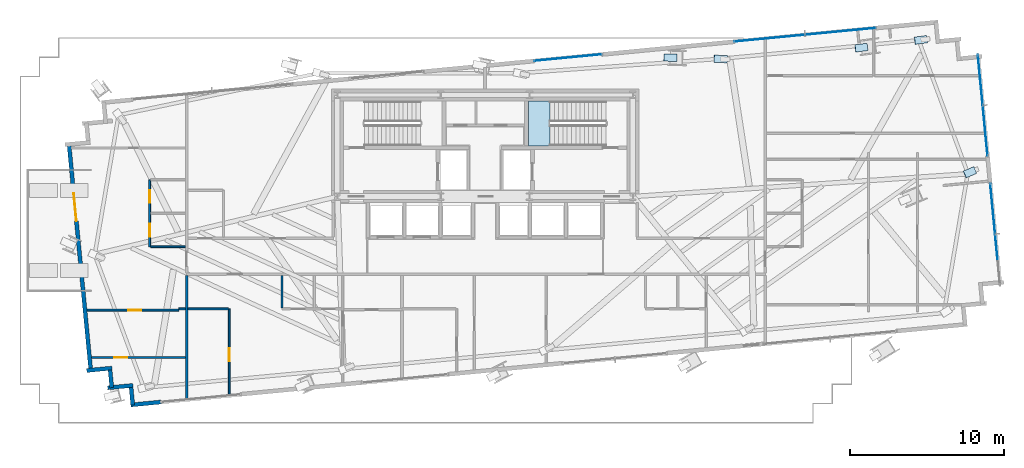
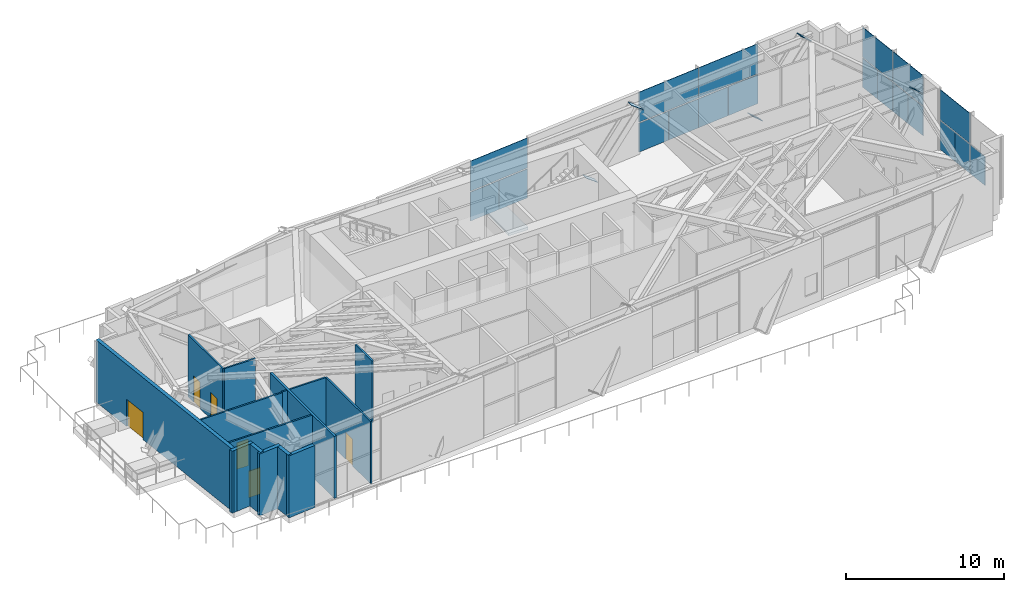
# One storey, part 20 of 28: 24 plates, 15 walls, 6 doors, 1 slab, 6 openings, 5 elements without a shape of their own.
"""IFC4 building model written with IfcOpenShell, lengths in metres."""

from ifc_helpers import new_model, si_unit, direction, frame, frame_2d, origin, origin_2d, place, context, subcontext, project, spatial, polyline, rectangle, outline, extrude, source, transform, mapped, material, layer, layer_set, type_object, type_shapes, element, fill, aggregate, save


model = new_model("IFC4")

# Units and contexts
model_context = context("Model", 3, precision=1e-05, world=origin(), true_north=direction((0.0, 1.0)))
body_context = subcontext(model_context, "Body", "Model", "MODEL_VIEW")
ifc_project = project(units=[si_unit("LENGTHUNIT", "METRE"), si_unit("AREAUNIT", "SQUARE_METRE"), si_unit("VOLUMEUNIT", "CUBIC_METRE"), si_unit("PLANEANGLEUNIT", "RADIAN"), si_unit("MASSUNIT", "GRAM", prefix="KILO")], contexts=[model_context])

# Site, building, storey
site_placement = place(None, origin())
site = spatial("IfcSite", under=ifc_project, at=site_placement, CompositionType="ELEMENT")
building_placement = place(site_placement, origin())
building = spatial("IfcBuilding", under=site, at=building_placement, Name="Astriad Promenade Condominiums", CompositionType="ELEMENT")
storey_placement = place(building_placement, frame((0.0, 0.0, 72.60009765625)))
storey = spatial("IfcBuildingStorey", under=building, at=storey_placement, Name="L20", CompositionType="ELEMENT", Elevation=72.60009765625)

# Stair, slab
ifc_material_1 = material(Name="Concrete C50/60", Category="concrete")
stair_type = type_object("IfcStairType", Name="STR-CORE-1350", PredefinedType="HALF_TURN_STAIR", material=ifc_material_1)
stair_placement = place(storey_placement, origin())
stair = element("IfcStair", 1, at=stair_placement, inside=storey, type_object=stair_type, Name="L20 Enclosed Core Exit Stair ST-2", PredefinedType="HALF_TURN_STAIR")
ifc_layer_1 = layer(ifc_material_1, 0.219970703125)
ifc_layer_set_1 = layer_set([ifc_layer_1], Name="Concrete C50/60")
slab_type = type_object("IfcSlabType", Name="SLB-LANDING-220", PredefinedType="LANDING", material=ifc_layer_set_1)
slab_placement = place(storey_placement, frame((0.0, 0.0, 2.39990234375)))
slab = element("IfcSlab", 2, at=slab_placement, type_object=slab_type, Name="ST-2 landing 1", PredefinedType="LANDING", context=body_context, shape_type="SweptSolid", body=[
    extrude(outline(polyline([(40.2099609375, 23.60009765625), (38.800048828125, 23.60009765625), (38.800048828125, 20.699951171875), (40.2099609375, 20.699951171875), (40.2099609375, 23.60009765625)])), origin(), (0.0, 0.0, 1.0), 0.199951171875),
])
aggregate(stair, [slab])

# Plates
ifc_material_2 = material(Name="Steel ASTM A572 Grade 50", Category="steel")
ifc_layer_2 = layer(ifc_material_2, 0.02490234375)
ifc_layer_set_2 = layer_set([ifc_layer_2], Name="Steel ASTM A572 Grade 50")
plate_type_1 = type_object("IfcPlateType", Name="STEEL HOLLOW SECTION END CAP PLATE 30", PredefinedType="USERDEFINED", material=ifc_layer_set_2)
shared_shape_1 = source(origin(), body_context, "Body", "SweptSolid", [
    extrude(rectangle(XDim=0.477294921875, YDim=1.05126953125, at=origin_2d()), origin(), (0.0, 0.0, 1.0), 0.02490234375),
])
type_shapes(plate_type_1, [shared_shape_1])
for number, where, z_axis, x_axis, name in (
    (3, (48.033447265625, 26.42529296875, 0.119873046875), (0.5848616151, -0.015696992003, 0.810981193139), (0.026829152754, 0.999640033493, 0.0), "Hollow Section End Cap Plate COL-PC09-L20-A"),
    (4, (51.29345703125, 26.337646484375, 4.639892578125), (0.5848616151, -0.015696992003, 0.810981193139), (0.026829152754, 0.999640033493, 0.0), "Hollow Section End Cap Plate COL-PC09-L20-B"),
    (5, (60.4345703125, 27.070556640625, 0.136474609375), (0.650276108786, 0.084549070972, 0.754978434752), (-0.12893499058, 0.991653048301, 0.0), "Hollow Section End Cap Plate COL-PC10-L20-A"),
    (6, (64.30029296875, 27.5732421875, 4.624267578125), (0.650276108786, 0.084549070972, 0.754978434752), (-0.12893499058, 0.991653048301, 0.0), "Hollow Section End Cap Plate COL-PC10-L20-B"),
    (7, (67.48828125, 18.9716796875, 4.61083984375), (0.660733991083, 0.279735498035, 0.696547661088), (-0.389869538704, 0.920870100932, 0.0), "Hollow Section End Cap Plate COL-PC12-L20-B"),
):
    element("IfcPlate", number, at=place(storey_placement, frame(where, z_axis=z_axis, x_axis=x_axis)), inside=storey, type_object=plate_type_1, Name=name, ObjectType="STIFFENER_PLATE", PredefinedType="USERDEFINED", context=body_context, shape_type="MappedRepresentation", body=[
        mapped(shared_shape_1, transform((0.0, 0.0, 0.0), scale=1.0)),
    ])

# Curtain wall, plates
ifc_material_3 = material(Name="Anodised aluminium Black Dark Glass Unitised", Category="aluminium")
curtain_wall_type = type_object("IfcCurtainWallType", Name="CW-B2-DARK", PredefinedType="USERDEFINED", material=ifc_material_3)
curtain_wall_1_placement = place(storey_placement, origin())
curtain_wall_1 = element("IfcCurtainWall", 8, at=curtain_wall_1_placement, inside=storey, type_object=curtain_wall_type, Name="CW-L20-N-3", ObjectType="UNITISED_CURTAIN_WALL", PredefinedType="USERDEFINED")
ifc_material_4 = material(Name="Dark Tinted Low-E Laminated Glass", Category="glass")
ifc_layer_3 = layer(ifc_material_4, 0.035888671875)
ifc_layer_set_3 = layer_set([ifc_layer_3], Name="Dark Tinted Low-E Laminated Glass")
plate_type_2 = type_object("IfcPlateType", Name="PNL-DARK-GLASS-36", PredefinedType="CURTAIN_PANEL", material=ifc_layer_set_3)
shared_shape_2 = source(origin(), body_context, "Body", "SweptSolid", [
    extrude(rectangle(XDim=2.202880859375, YDim=0.035888671875, at=origin_2d()), origin(), (0.0, 0.0, 1.0), 2.22998046875),
])
plate_1_placement = place(storey_placement, frame((40.281982421875, 26.31982421875, 0.079833984375), z_axis=(0.0, 0.0, 1.0), x_axis=(0.995396198367, 0.09584575252, 0.0)))
plate_1 = element("IfcPlate", 9, at=plate_1_placement, type_object=plate_type_2, Name="CW-L20-N-3-PNL-00-VL", PredefinedType="CURTAIN_PANEL", context=body_context, shape_type="MappedRepresentation", body=[
    mapped(shared_shape_2, transform((0.0, 0.0, 0.0), scale=1.0)),
])
plate_2_placement = place(storey_placement, frame((42.48681640625, 26.5322265625, 0.079833984375), z_axis=(0.0, 0.0, 1.0), x_axis=(0.995396198367, 0.09584575252, 0.0)))
plate_2 = element("IfcPlate", 10, at=plate_2_placement, type_object=plate_type_2, Name="CW-L20-N-3-PNL-00-VR", PredefinedType="CURTAIN_PANEL", context=body_context, shape_type="MappedRepresentation", body=[
    mapped(shared_shape_2, transform((0.0, 0.0, 0.0), scale=1.0)),
])
shared_shape_3 = source(origin(), body_context, "Body", "SweptSolid", [
    extrude(rectangle(XDim=4.41796875, YDim=0.035888671875, at=origin_2d()), origin(), (0.0, 0.0, 1.0), 2.31005859375),
])
plate_3_placement = place(storey_placement, frame((41.384521484375, 26.426025390625, 2.389892578125), z_axis=(0.0, 0.0, 1.0), x_axis=(0.995396198367, 0.09584575252, 0.0)))
plate_3 = element("IfcPlate", 11, at=plate_3_placement, type_object=plate_type_2, Name="CW-L20-N-3-PNL-00-S", PredefinedType="CURTAIN_PANEL", context=body_context, shape_type="MappedRepresentation", body=[
    mapped(shared_shape_3, transform((0.0, 0.0, 0.0), scale=1.0)),
])
aggregate(curtain_wall_1, [plate_1, plate_2, plate_3])

curtain_wall_2_placement = place(storey_placement, origin())
curtain_wall_2 = element("IfcCurtainWall", 12, at=curtain_wall_2_placement, inside=storey, type_object=curtain_wall_type, Name="CW-L20-N-4", ObjectType="UNITISED_CURTAIN_WALL", PredefinedType="USERDEFINED")
shared_shape_4 = source(origin(), body_context, "Body", "SweptSolid", [
    extrude(rectangle(XDim=2.29541015625, YDim=0.035888671875, at=origin_2d()), origin(), (0.0, 0.0, 1.0), 2.22998046875),
])
plate_4_placement = place(storey_placement, frame((53.337890625, 27.576904296875, 0.079833984375), z_axis=(0.0, 0.0, 1.0), x_axis=(0.995396198367, 0.09584575252, 0.0)))
plate_4 = element("IfcPlate", 13, at=plate_4_placement, type_object=plate_type_2, Name="CW-L20-N-4-PNL-00-VL", PredefinedType="CURTAIN_PANEL", context=body_context, shape_type="MappedRepresentation", body=[
    mapped(shared_shape_4, transform((0.0, 0.0, 0.0), scale=1.0)),
])
plate_5_placement = place(storey_placement, frame((55.635009765625, 27.798095703125, 0.079833984375), z_axis=(0.0, 0.0, 1.0), x_axis=(0.995396198367, 0.09584575252, 0.0)))
plate_5 = element("IfcPlate", 14, at=plate_5_placement, type_object=plate_type_2, Name="CW-L20-N-4-PNL-00-VR", PredefinedType="CURTAIN_PANEL", context=body_context, shape_type="MappedRepresentation", body=[
    mapped(shared_shape_4, transform((0.0, 0.0, 0.0), scale=1.0)),
])
plate_6_placement = place(storey_placement, frame((57.931640625, 28.019287109375, 0.079833984375), z_axis=(0.0, 0.0, 1.0), x_axis=(0.995396198367, 0.09584575252, 0.0)))
plate_6 = element("IfcPlate", 15, at=plate_6_placement, type_object=plate_type_2, Name="CW-L20-N-4-PNL-01-VL", PredefinedType="CURTAIN_PANEL", context=body_context, shape_type="MappedRepresentation", body=[
    mapped(shared_shape_4, transform((0.0, 0.0, 0.0), scale=1.0)),
])
plate_7_placement = place(storey_placement, frame((60.228759765625, 28.240478515625, 0.079833984375), z_axis=(0.0, 0.0, 1.0), x_axis=(0.995396198367, 0.09584575252, 0.0)))
plate_7 = element("IfcPlate", 16, at=plate_7_placement, type_object=plate_type_2, Name="CW-L20-N-4-PNL-01-VR", PredefinedType="CURTAIN_PANEL", context=body_context, shape_type="MappedRepresentation", body=[
    mapped(shared_shape_4, transform((0.0, 0.0, 0.0), scale=1.0)),
])
shared_shape_5 = source(origin(), body_context, "Body", "SweptSolid", [
    extrude(rectangle(XDim=4.60302734375, YDim=0.035888671875, at=origin_2d()), origin(), (0.0, 0.0, 1.0), 2.31005859375),
])
plate_8_placement = place(storey_placement, frame((54.486328125, 27.6875, 2.389892578125), z_axis=(0.0, 0.0, 1.0), x_axis=(0.995396198367, 0.09584575252, 0.0)))
plate_8 = element("IfcPlate", 17, at=plate_8_placement, type_object=plate_type_2, Name="CW-L20-N-4-PNL-00-S", PredefinedType="CURTAIN_PANEL", context=body_context, shape_type="MappedRepresentation", body=[
    mapped(shared_shape_5, transform((0.0, 0.0, 0.0), scale=1.0)),
])
plate_9_placement = place(storey_placement, frame((59.080078125, 28.1298828125, 2.389892578125), z_axis=(0.0, 0.0, 1.0), x_axis=(0.995396198367, 0.09584575252, 0.0)))
plate_9 = element("IfcPlate", 18, at=plate_9_placement, type_object=plate_type_2, Name="CW-L20-N-4-PNL-01-S", PredefinedType="CURTAIN_PANEL", context=body_context, shape_type="MappedRepresentation", body=[
    mapped(shared_shape_5, transform((0.0, 0.0, 0.0), scale=1.0)),
])
aggregate(curtain_wall_2, [plate_4, plate_5, plate_8, plate_6, plate_7, plate_9])

curtain_wall_3_placement = place(storey_placement, origin())
curtain_wall_3 = element("IfcCurtainWall", 19, at=curtain_wall_3_placement, inside=storey, type_object=curtain_wall_type, Name="CW-L20-E-1", ObjectType="UNITISED_CURTAIN_WALL", PredefinedType="USERDEFINED")
shared_shape_6 = source(origin(), body_context, "Body", "SweptSolid", [
    extrude(rectangle(XDim=1.637939453125, YDim=0.035888671875, at=origin_2d()), origin(), (0.0, 0.0, 1.0), 2.22998046875),
])
plate_10_placement = place(storey_placement, frame((68.093505859375, 25.7880859375, 0.079833984375), z_axis=(0.0, 0.0, 1.0), x_axis=(0.095828379565, -0.99539787104, 0.0)))
plate_10 = element("IfcPlate", 20, at=plate_10_placement, type_object=plate_type_2, Name="CW-L20-E-1-PNL-00-VL", PredefinedType="CURTAIN_PANEL", context=body_context, shape_type="MappedRepresentation", body=[
    mapped(shared_shape_6, transform((0.0, 0.0, 0.0), scale=1.0)),
])
plate_11_placement = place(storey_placement, frame((68.251708984375, 24.1455078125, 0.079833984375), z_axis=(0.0, 0.0, 1.0), x_axis=(0.095828379565, -0.99539787104, 0.0)))
plate_11 = element("IfcPlate", 21, at=plate_11_placement, type_object=plate_type_2, Name="CW-L20-E-1-PNL-00-VR", PredefinedType="CURTAIN_PANEL", context=body_context, shape_type="MappedRepresentation", body=[
    mapped(shared_shape_6, transform((0.0, 0.0, 0.0), scale=1.0)),
])
plate_12_placement = place(storey_placement, frame((68.409912109375, 22.503173828125, 0.079833984375), z_axis=(0.0, 0.0, 1.0), x_axis=(0.095828379565, -0.99539787104, 0.0)))
plate_12 = element("IfcPlate", 22, at=plate_12_placement, type_object=plate_type_2, Name="CW-L20-E-1-PNL-01-VL", PredefinedType="CURTAIN_PANEL", context=body_context, shape_type="MappedRepresentation", body=[
    mapped(shared_shape_6, transform((0.0, 0.0, 0.0), scale=1.0)),
])
plate_13_placement = place(storey_placement, frame((68.568115234375, 20.86083984375, 0.079833984375), z_axis=(0.0, 0.0, 1.0), x_axis=(0.095828379565, -0.99539787104, 0.0)))
plate_13 = element("IfcPlate", 23, at=plate_13_placement, type_object=plate_type_2, Name="CW-L20-E-1-PNL-01-VR", PredefinedType="CURTAIN_PANEL", context=body_context, shape_type="MappedRepresentation", body=[
    mapped(shared_shape_6, transform((0.0, 0.0, 0.0), scale=1.0)),
])

curtain_wall_4_placement = place(storey_placement, origin())
curtain_wall_4 = element("IfcCurtainWall", 24, at=curtain_wall_4_placement, inside=storey, type_object=curtain_wall_type, Name="CW-L20-E-2", ObjectType="UNITISED_CURTAIN_WALL", PredefinedType="USERDEFINED")
plate_14_placement = place(storey_placement, frame((68.898681640625, 17.4267578125, 0.079833984375), z_axis=(0.0, 0.0, 1.0), x_axis=(0.095828379565, -0.99539787104, 0.0)))
plate_14 = element("IfcPlate", 25, at=plate_14_placement, type_object=plate_type_2, Name="CW-L20-E-2-PNL-00-VL", PredefinedType="CURTAIN_PANEL", context=body_context, shape_type="MappedRepresentation", body=[
    mapped(shared_shape_6, transform((0.0, 0.0, 0.0), scale=1.0)),
])
plate_15_placement = place(storey_placement, frame((69.056884765625, 15.7841796875, 0.079833984375), z_axis=(0.0, 0.0, 1.0), x_axis=(0.095828379565, -0.99539787104, 0.0)))
plate_15 = element("IfcPlate", 26, at=plate_15_placement, type_object=plate_type_2, Name="CW-L20-E-2-PNL-00-VR", PredefinedType="CURTAIN_PANEL", context=body_context, shape_type="MappedRepresentation", body=[
    mapped(shared_shape_6, transform((0.0, 0.0, 0.0), scale=1.0)),
])
plate_16_placement = place(storey_placement, frame((69.215087890625, 14.141845703125, 0.079833984375), z_axis=(0.0, 0.0, 1.0), x_axis=(0.095828379565, -0.99539787104, 0.0)))
plate_16 = element("IfcPlate", 27, at=plate_16_placement, type_object=plate_type_2, Name="CW-L20-E-2-PNL-01-VL", PredefinedType="CURTAIN_PANEL", context=body_context, shape_type="MappedRepresentation", body=[
    mapped(shared_shape_6, transform((0.0, 0.0, 0.0), scale=1.0)),
])

# Plate
shared_shape_7 = source(origin(), body_context, "Body", "SweptSolid", [
    extrude(rectangle(XDim=3.2880859375, YDim=0.035888671875, at=origin_2d()), origin(), (0.0, 0.0, 1.0), 2.31005859375),
])
type_shapes(plate_type_2, [shared_shape_2, shared_shape_3, shared_shape_4, shared_shape_5, shared_shape_6, shared_shape_7])
plate_17_placement = place(storey_placement, frame((68.172607421875, 24.966796875, 2.389892578125), z_axis=(0.0, 0.0, 1.0), x_axis=(0.095828379565, -0.99539787104, 0.0)))
plate_17 = element("IfcPlate", 28, at=plate_17_placement, type_object=plate_type_2, Name="CW-L20-E-1-PNL-00-S", PredefinedType="CURTAIN_PANEL", context=body_context, shape_type="MappedRepresentation", body=[
    mapped(shared_shape_7, transform((0.0, 0.0, 0.0), scale=1.0)),
])

plate_18_placement = place(storey_placement, frame((68.489013671875, 21.681884765625, 2.389892578125), z_axis=(0.0, 0.0, 1.0), x_axis=(0.095828379565, -0.99539787104, 0.0)))
plate_18 = element("IfcPlate", 29, at=plate_18_placement, type_object=plate_type_2, Name="CW-L20-E-1-PNL-01-S", PredefinedType="CURTAIN_PANEL", context=body_context, shape_type="MappedRepresentation", body=[
    mapped(shared_shape_7, transform((0.0, 0.0, 0.0), scale=1.0)),
])

aggregate(curtain_wall_3, [plate_10, plate_11, plate_17, plate_12, plate_13, plate_18])

plate_19_placement = place(storey_placement, frame((68.977783203125, 16.60546875, 2.389892578125), z_axis=(0.0, 0.0, 1.0), x_axis=(0.095828379565, -0.99539787104, 0.0)))
plate_19 = element("IfcPlate", 30, at=plate_19_placement, type_object=plate_type_2, Name="CW-L20-E-2-PNL-00-S", PredefinedType="CURTAIN_PANEL", context=body_context, shape_type="MappedRepresentation", body=[
    mapped(shared_shape_7, transform((0.0, 0.0, 0.0), scale=1.0)),
])

aggregate(curtain_wall_4, [plate_14, plate_15, plate_19, plate_16])

# Walls
ifc_material_5 = material(Name="Fire-Rated Gypsum Partition")
ifc_layer_4 = layer(ifc_material_5, 0.159912109375)
ifc_layer_set_4 = layer_set([ifc_layer_4], Name="Fire-Rated Gypsum Partition")
wall_type_1 = type_object("IfcWallType", Name="WALL-CORR-160", PredefinedType="PARTITIONING", material=ifc_layer_set_4)
wall_1_placement = place(storey_placement, frame((16.60009765625, 4.157958984375, 0.0), z_axis=(0.0, 0.0, 1.0), x_axis=(0.0, 1.0, 0.0)))
element("IfcWall", 31, at=wall_1_placement, inside=storey, type_object=wall_type_1, Name="PT-COR-W-L20", PredefinedType="PARTITIONING", context=body_context, shape_type="SweptSolid", body=[
    extrude(rectangle(XDim=8.110107421875, YDim=0.159912109375, at=frame_2d((4.05517578125, 0.0))), origin(), (0.0, 0.0, 1.0), 4.77978515625),
])
ifc_material_6 = material(Name="Precast concrete C50/60", Category="concrete")
ifc_layer_5 = layer(ifc_material_6, 0.260009765625)
ifc_layer_set_5 = layer_set([ifc_layer_5], Name="Precast concrete C50/60")
wall_type_2 = type_object("IfcWallType", Name="WALL-EXT-TWR-260", PredefinedType="STANDARD", material=ifc_layer_set_5)
wall_2_placement = place(storey_placement, frame((13.110595703125, 5.1279296875, 0.0), z_axis=(0.0, 0.0, 1.0), x_axis=(-0.995393194909, -0.095876939504, 0.0)))
element("IfcWall", 32, at=wall_2_placement, inside=storey, type_object=wall_type_2, Name="W-SER-L20-00", PredefinedType="STANDARD", context=body_context, shape_type="SweptSolid", body=[
    extrude(rectangle(XDim=1.639892578125, YDim=0.260009765625, at=frame_2d((0.81982421875, 0.0))), origin(), (0.0, 0.0, 1.0), 4.77978515625),
])
wall_3_placement = place(storey_placement, frame((11.738525390625, 4.98095703125, 0.0), z_axis=(0.0, 0.0, 1.0), x_axis=(-0.09576095695, 0.995404359607, 0.0)))
element("IfcWall", 33, at=wall_3_placement, inside=storey, type_object=wall_type_2, Name="W-SER-L20-01", PredefinedType="STANDARD", context=body_context, shape_type="SweptSolid", body=[
    extrude(rectangle(XDim=1.14990234375, YDim=0.260009765625, at=frame_2d((0.574951171875, 0.0))), origin(), (0.0, 0.0, 1.0), 4.77978515625),
])
wall_4_placement = place(storey_placement, frame((11.74658203125, 6.25244140625, 0.0), z_axis=(0.0, 0.0, 1.0), x_axis=(-0.995394563142, -0.095862733462, 0.0)))
element("IfcWall", 34, at=wall_4_placement, inside=storey, type_object=wall_type_2, Name="W-SER-L20-02", PredefinedType="STANDARD", context=body_context, shape_type="SweptSolid", body=[
    extrude(rectangle(XDim=1.64013671875, YDim=0.260009765625, at=frame_2d((0.820068359375, 0.0))), origin(), (0.0, 0.0, 1.0), 4.77978515625),
])

# Wall, opening, door
wall_5_placement = place(storey_placement, frame((10.385498046875, 5.99072265625, 0.0), z_axis=(0.0, 0.0, 1.0), x_axis=(-0.095848242264, 0.995395958629, 0.0)))
wall_5 = element("IfcWall", 35, at=wall_5_placement, inside=storey, type_object=wall_type_2, Name="W-SG-L20-W", PredefinedType="STANDARD", context=body_context, shape_type="SweptSolid", body=[
    extrude(rectangle(XDim=15.000244140625, YDim=0.260009765625, at=frame_2d((7.5, 0.0))), origin(), (0.0, 0.0, 1.0), 4.77978515625),
])
opening_1_placement = place(wall_5_placement, frame((9.866943359375, 0.0, 0.0)))
opening_1 = element("IfcOpeningElement", 36, at=opening_1_placement, cuts=wall_5, Name="Opening SGD-1823-SKY", PredefinedType="OPENING", context=body_context, shape_type="SweptSolid", body=[
    extrude(rectangle(XDim=1.800048828125, YDim=2.10009765625, at=frame_2d((0.89990234375, 1.050048828125))), frame((0.0, 0.139892578125, 0.0), z_axis=(0.0, -1.0, 0.0), x_axis=(1.0, 0.0, 0.0)), (0.0, 0.0, 1.0), 0.280029296875),
])
ifc_material_7 = material(Name="Thermally Broken Aluminium Sky-Garden Door", Category="aluminium")
door_type_1 = type_object("IfcDoorType", Name="SGD-1823-SKY", OperationType="NOTDEFINED", PredefinedType="DOOR", material=ifc_material_7)
shared_shape_8 = source(origin(), body_context, "Body", "SweptSolid", [
    extrude(rectangle(XDim=1.800048828125, YDim=2.10009765625, at=frame_2d((0.89990234375, 1.050048828125))), frame((0.0, 0.02490234375, 0.0), z_axis=(0.0, -1.0, 0.0), x_axis=(1.0, 0.0, 0.0)), (0.0, 0.0, 1.0), 0.050048828125),
])
type_shapes(door_type_1, [shared_shape_8])
door_1_placement = place(opening_1_placement, origin())
door_1 = element("IfcDoor", 37, at=door_1_placement, inside=storey, type_object=door_type_1, Name="SGD-L20", OperationType="DOUBLE_DOOR_SINGLE_SWING", OverallHeight=2.10009765625, OverallWidth=1.800048828125, PredefinedType="DOOR", context=body_context, shape_type="MappedRepresentation", body=[
    mapped(shared_shape_8, transform((0.0, 0.0, 0.0), scale=1.0)),
])
fill(opening_1, door_1)

# Walls
wall_6_placement = place(storey_placement, frame((14.96240234375, 4.050537109375, 0.0), z_axis=(0.0, 0.0, 1.0), x_axis=(-0.995397839199, -0.095828710298, 0.0)))
element("IfcWall", 38, at=wall_6_placement, inside=storey, type_object=wall_type_2, Name="W-SGCOL-L20-S-5", PredefinedType="STANDARD", context=body_context, shape_type="SweptSolid", body=[
    extrude(rectangle(XDim=2.0, YDim=0.260009765625, at=frame_2d((1.0, 0.0))), origin(), (0.0, 0.0, 1.0), 4.77978515625),
])
wall_7_placement = place(storey_placement, frame((13.1025390625, 3.8564453125, 0.0), z_axis=(0.0, 0.0, 1.0), x_axis=(-0.095951054827, 0.995386053287, 0.0)))
element("IfcWall", 39, at=wall_7_placement, inside=storey, type_object=wall_type_2, Name="W-SER-L20-19", PredefinedType="STANDARD", context=body_context, shape_type="SweptSolid", body=[
    extrude(rectangle(XDim=1.150146484375, YDim=0.260009765625, at=frame_2d((0.5751953125, 0.0))), origin(), (0.0, 0.0, 1.0), 4.77978515625),
])
ifc_material_8 = material(Name="Acoustic Metal-Stud Gypsum Partition")
ifc_layer_6 = layer(ifc_material_8, 0.1201171875)
ifc_layer_set_6 = layer_set([ifc_layer_6], Name="Acoustic Metal-Stud Gypsum Partition")
wall_type_3 = type_object("IfcWallType", Name="WALL-PART-120", PredefinedType="PARTITIONING", material=ifc_layer_set_6)
wall_8_placement = place(storey_placement, frame((22.801025390625, 10.162109375, 0.0), z_axis=(0.0, 0.0, 1.0), x_axis=(0.0, 1.0, 0.0)))
element("IfcWall", 40, at=wall_8_placement, inside=storey, type_object=wall_type_3, Name="PT-L20-S1-PKW", PredefinedType="PARTITIONING", context=body_context, shape_type="SweptSolid", body=[
    extrude(rectangle(XDim=2.10595703125, YDim=0.1201171875, at=frame_2d((1.052978515625, 0.0))), origin(), (0.0, 0.0, 1.0), 4.77978515625),
])

# Wall, opening, door
wall_9_placement = place(storey_placement, frame((19.373046875, 4.425048828125, 0.0), z_axis=(0.0, 0.0, 1.0), x_axis=(0.0, 1.0, 0.0)))
wall_9 = element("IfcWall", 41, at=wall_9_placement, inside=storey, type_object=wall_type_3, Name="PT-L20-S1-EXV", PredefinedType="PARTITIONING", context=body_context, shape_type="SweptSolid", body=[
    extrude(rectangle(XDim=5.675048828125, YDim=0.1201171875, at=frame_2d((2.83740234375, 0.0))), origin(), (0.0, 0.0, 1.0), 4.77978515625),
])
opening_2_placement = place(wall_9_placement, frame((2.27294921875, 0.0, 0.0)))
opening_2 = element("IfcOpeningElement", 42, at=opening_2_placement, cuts=wall_9, Name="Opening D-INT-085", PredefinedType="OPENING", context=body_context, shape_type="SweptSolid", body=[
    extrude(rectangle(XDim=0.85009765625, YDim=2.050048828125, at=frame_2d((0.425048828125, 1.02490234375))), frame((0.0, 0.070068359375, 0.0), z_axis=(0.0, -1.0, 0.0), x_axis=(1.0, 0.0, 0.0)), (0.0, 0.0, 1.0), 0.14013671875),
])
ifc_material_9 = material(Name="Painted Solid-Core Timber Room Door", Category="wood")
door_type_2 = type_object("IfcDoorType", Name="D-INT-085", OperationType="NOTDEFINED", PredefinedType="DOOR", material=ifc_material_9)
shared_shape_9 = source(origin(), body_context, "Body", "SweptSolid", [
    extrude(rectangle(XDim=0.85009765625, YDim=2.050048828125, at=frame_2d((0.425048828125, 1.02490234375))), frame((0.0, 0.02490234375, 0.0), z_axis=(0.0, -1.0, 0.0), x_axis=(1.0, 0.0, 0.0)), (0.0, 0.0, 1.0), 0.050048828125),
])
type_shapes(door_type_2, [shared_shape_9])
door_2_placement = place(opening_2_placement, origin())
door_2 = element("IfcDoor", 43, at=door_2_placement, inside=storey, type_object=door_type_2, Name="D-EX-L20-S1", OperationType="SINGLE_SWING_LEFT", OverallHeight=2.050048828125, OverallWidth=0.85009765625, PredefinedType="DOOR", context=body_context, shape_type="MappedRepresentation", body=[
    mapped(shared_shape_9, transform((0.0, 0.0, 0.0), scale=1.0)),
])
fill(opening_2, door_2)

# Walls
wall_10_placement = place(storey_placement, frame((16.10009765625, 10.10009765625, 0.0), z_axis=(0.0, 0.0, 1.0), x_axis=(1.0, 0.0, 0.0)))
element("IfcWall", 44, at=wall_10_placement, inside=storey, type_object=wall_type_3, Name="PT-L20-S1-EXH", PredefinedType="PARTITIONING", context=body_context, shape_type="SweptSolid", body=[
    extrude(rectangle(XDim=0.41796875, YDim=0.1201171875, at=frame_2d((0.208984375, 0.0))), origin(), (0.0, 0.0, 1.0), 4.77978515625),
])
wall_11_placement = place(storey_placement, frame((16.681884765625, 10.10009765625, 0.0), z_axis=(0.0, 0.0, 1.0), x_axis=(1.0, 0.0, 0.0)))
element("IfcWall", 45, at=wall_11_placement, inside=storey, type_object=wall_type_3, Name="PT-L20-S1-EXH-S2", PredefinedType="PARTITIONING", context=body_context, shape_type="SweptSolid", body=[
    extrude(rectangle(XDim=2.629150390625, YDim=0.1201171875, at=frame_2d((1.314453125, 0.0))), origin(), (0.0, 0.0, 1.0), 4.77978515625),
])

# Wall, openings, doors
wall_12_placement = place(storey_placement, frame((14.199951171875, 14.135986328125, 0.0), z_axis=(0.0, 0.0, 1.0), x_axis=(0.0, 1.0, 0.0)))
wall_12 = element("IfcWall", 46, at=wall_12_placement, inside=storey, type_object=wall_type_3, Name="PT-L20-W1-PV", PredefinedType="PARTITIONING", context=body_context, shape_type="SweptSolid", body=[
    extrude(rectangle(XDim=4.35009765625, YDim=0.1201171875, at=frame_2d((2.175048828125, 0.0))), origin(), (0.0, 0.0, 1.0), 4.77978515625),
])
opening_3_placement = place(wall_12_placement, frame((0.662109375, 0.0, 0.0)))
opening_3 = element("IfcOpeningElement", 47, at=opening_3_placement, cuts=wall_12, Name="Opening D-INT-085", PredefinedType="OPENING", context=body_context, shape_type="SweptSolid", body=[
    extrude(rectangle(XDim=0.85009765625, YDim=2.050048828125, at=frame_2d((0.425048828125, 1.02490234375))), frame((0.0, 0.070068359375, 0.0), z_axis=(0.0, -1.0, 0.0), x_axis=(1.0, 0.0, 0.0)), (0.0, 0.0, 1.0), 0.14013671875),
])
opening_4_placement = place(wall_12_placement, frame((2.862060546875, 0.0, 0.0)))
opening_4 = element("IfcOpeningElement", 48, at=opening_4_placement, cuts=wall_12, Name="Opening D-WET-080", PredefinedType="OPENING", context=body_context, shape_type="SweptSolid", body=[
    extrude(rectangle(XDim=0.800048828125, YDim=2.02001953125, at=frame_2d((0.39990234375, 1.010009765625))), frame((0.0, 0.070068359375, 0.0), z_axis=(0.0, -1.0, 0.0), x_axis=(1.0, 0.0, 0.0)), (0.0, 0.0, 1.0), 0.14013671875),
])
ifc_material_10 = material(Name="Moisture-Resistant Timber Bathroom Door", Category="wood")
door_type_3 = type_object("IfcDoorType", Name="D-WET-080", OperationType="NOTDEFINED", PredefinedType="DOOR", material=ifc_material_10)
shared_shape_10 = source(origin(), body_context, "Body", "SweptSolid", [
    extrude(rectangle(XDim=0.800048828125, YDim=2.02001953125, at=frame_2d((0.39990234375, 1.010009765625))), frame((0.0, 0.02490234375, 0.0), z_axis=(0.0, -1.0, 0.0), x_axis=(1.0, 0.0, 0.0)), (0.0, 0.0, 1.0), 0.050048828125),
])
type_shapes(door_type_3, [shared_shape_10])
door_3_placement = place(opening_4_placement, origin())
door_3 = element("IfcDoor", 49, at=door_3_placement, inside=storey, type_object=door_type_3, Name="D-BTH-L20-W1", OperationType="SINGLE_SWING_LEFT", OverallHeight=2.02001953125, OverallWidth=0.800048828125, PredefinedType="DOOR", context=body_context, shape_type="MappedRepresentation", body=[
    mapped(shared_shape_10, transform((0.0, 0.0, 0.0), scale=1.0)),
])
fill(opening_4, door_3)
door_4_placement = place(opening_3_placement, origin())
door_4 = element("IfcDoor", 50, at=door_4_placement, inside=storey, type_object=door_type_2, Name="D-KIT-L20-W1", OperationType="SINGLE_SWING_RIGHT", OverallHeight=2.050048828125, OverallWidth=0.85009765625, PredefinedType="DOOR", context=body_context, shape_type="MappedRepresentation", body=[
    mapped(shared_shape_9, transform((0.0, 0.0, 0.0), scale=1.0)),
])
fill(opening_3, door_4)

# Wall
wall_13_placement = place(storey_placement, frame((14.261962890625, 14.135986328125, 0.0), z_axis=(0.0, 0.0, 1.0), x_axis=(1.0, 0.0, 0.0)))
element("IfcWall", 51, at=wall_13_placement, inside=storey, type_object=wall_type_3, Name="PT-L20-W1-PS", PredefinedType="PARTITIONING", context=body_context, shape_type="SweptSolid", body=[
    extrude(rectangle(XDim=2.256103515625, YDim=0.1201171875, at=frame_2d((1.1279296875, 0.0))), origin(), (0.0, 0.0, 1.0), 4.77978515625),
])

# Wall, opening, door
wall_14_placement = place(storey_placement, frame((10.426025390625, 6.945068359375, 0.0), z_axis=(0.0, 0.0, 1.0), x_axis=(1.0, 0.0, 0.0)))
wall_14 = element("IfcWall", 52, at=wall_14_placement, inside=storey, type_object=wall_type_3, Name="PT-L20-W1-B2", PredefinedType="PARTITIONING", context=body_context, shape_type="SweptSolid", body=[
    extrude(rectangle(XDim=6.092041015625, YDim=0.1201171875, at=frame_2d((3.0458984375, 0.0))), origin(), (0.0, 0.0, 1.0), 4.77978515625),
])
opening_5_placement = place(wall_14_placement, frame((1.4599609375, 0.0, 0.0)))
opening_5 = element("IfcOpeningElement", 53, at=opening_5_placement, cuts=wall_14, Name="Opening D-INT-085", PredefinedType="OPENING", context=body_context, shape_type="SweptSolid", body=[
    extrude(rectangle(XDim=0.85009765625, YDim=2.050048828125, at=frame_2d((0.425048828125, 1.02490234375))), frame((0.0, 0.070068359375, 0.0), z_axis=(0.0, -1.0, 0.0), x_axis=(1.0, 0.0, 0.0)), (0.0, 0.0, 1.0), 0.14013671875),
])
door_5_placement = place(opening_5_placement, origin())
door_5 = element("IfcDoor", 54, at=door_5_placement, inside=storey, type_object=door_type_2, Name="D-BD2-L20-W1", OperationType="SINGLE_SWING_LEFT", OverallHeight=2.050048828125, OverallWidth=0.85009765625, PredefinedType="DOOR", context=body_context, shape_type="MappedRepresentation", body=[
    mapped(shared_shape_9, transform((0.0, 0.0, 0.0), scale=1.0)),
])
fill(opening_5, door_5)

wall_15_placement = place(storey_placement, frame((10.130126953125, 10.02001953125, 0.0), z_axis=(0.0, 0.0, 1.0), x_axis=(1.0, 0.0, 0.0)))
wall_15 = element("IfcWall", 55, at=wall_15_placement, inside=storey, type_object=wall_type_3, Name="PT-L20-W1-WDS1", PredefinedType="PARTITIONING", context=body_context, shape_type="SweptSolid", body=[
    extrude(rectangle(XDim=5.969970703125, YDim=0.1201171875, at=frame_2d((2.98486328125, 0.0))), origin(), (0.0, 0.0, 1.0), 4.77978515625),
])
opening_6_placement = place(wall_15_placement, frame((2.6708984375, 0.0, 0.0)))
opening_6 = element("IfcOpeningElement", 56, at=opening_6_placement, cuts=wall_15, Name="Opening D-INT-085", PredefinedType="OPENING", context=body_context, shape_type="SweptSolid", body=[
    extrude(rectangle(XDim=0.85009765625, YDim=2.050048828125, at=frame_2d((0.425048828125, 1.02490234375))), frame((0.0, 0.070068359375, 0.0), z_axis=(0.0, -1.0, 0.0), x_axis=(1.0, 0.0, 0.0)), (0.0, 0.0, 1.0), 0.14013671875),
])
door_6_placement = place(opening_6_placement, origin())
door_6 = element("IfcDoor", 57, at=door_6_placement, inside=storey, type_object=door_type_2, Name="D-WDS1-L20-W1", OperationType="SINGLE_SWING_RIGHT", OverallHeight=2.050048828125, OverallWidth=0.85009765625, PredefinedType="DOOR", context=body_context, shape_type="MappedRepresentation", body=[
    mapped(shared_shape_9, transform((0.0, 0.0, 0.0), scale=1.0)),
])
fill(opening_6, door_6)

save(model, "model.ifc")
